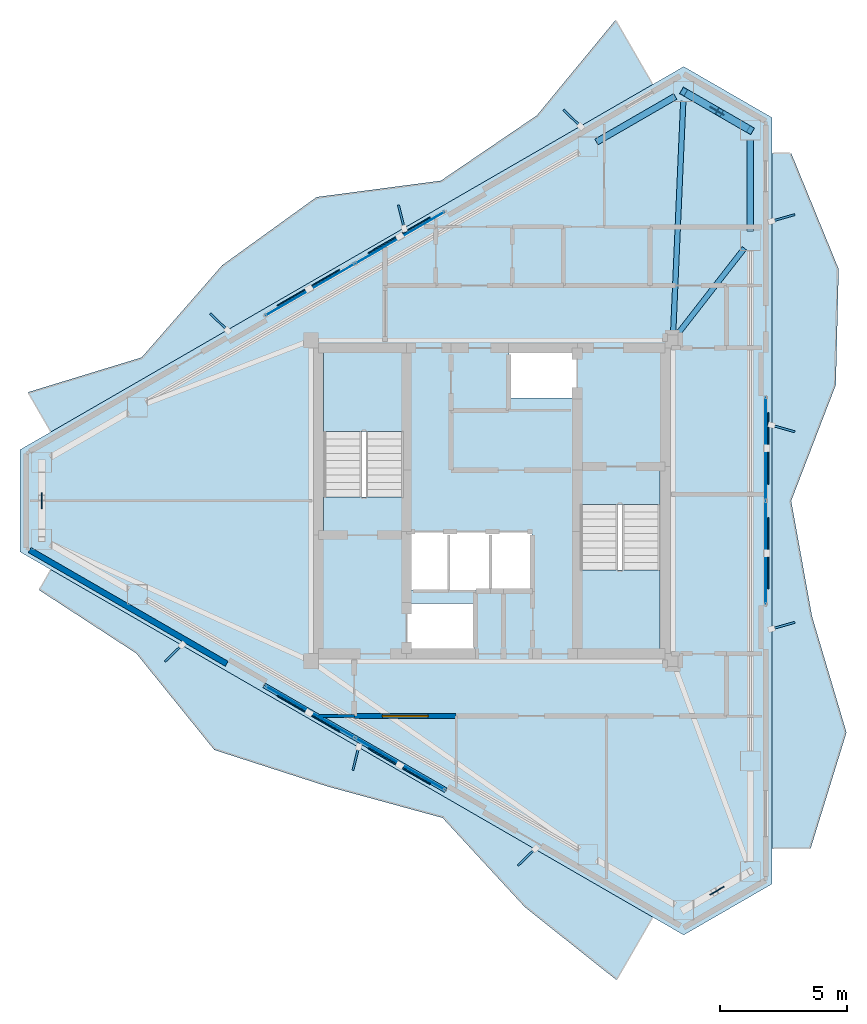
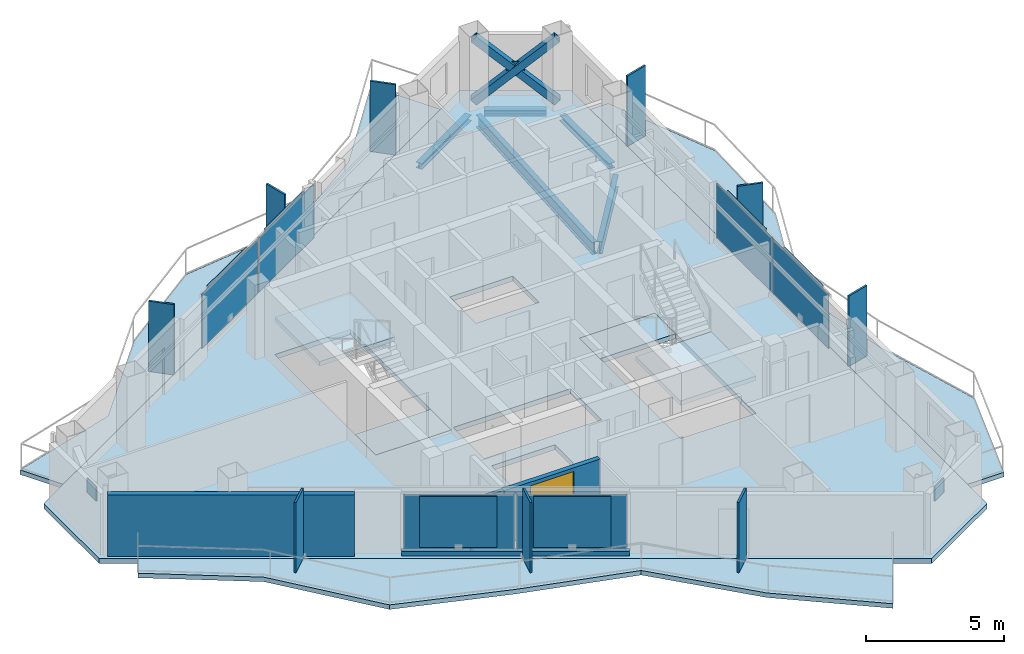
# One storey, part 13 of 18: 24 plates, 8 slabs, 5 beams, 4 walls, 3 members, 1 door, 1 opening, 5 elements without a shape of their own.
"""IFC4 building model written with IfcOpenShell, lengths in metres."""

from ifc_helpers import new_model, si_unit, direction, frame, frame_2d, origin, origin_2d, place, context, subcontext, project, spatial, polyline, rectangle, hollow_rectangle, i_section, outline, extrude, material, layer, layer_set, material_profile, profile_set, type_object, element, fill, aggregate, save


model = new_model("IFC4")

# Units and contexts
model_context = context("Model", 3, precision=1e-05, world=origin(), true_north=direction((0.0, 1.0)))
body_context = subcontext(model_context, "Body", "Model", "MODEL_VIEW")
ifc_project = project(units=[si_unit("LENGTHUNIT", "METRE"), si_unit("AREAUNIT", "SQUARE_METRE"), si_unit("VOLUMEUNIT", "CUBIC_METRE"), si_unit("PLANEANGLEUNIT", "RADIAN"), si_unit("MASSUNIT", "GRAM", prefix="KILO")], contexts=[model_context])

# Site, building, storey
site_placement = place(None, origin())
site = spatial("IfcSite", under=ifc_project, at=site_placement, CompositionType="ELEMENT")
building_placement = place(site_placement, origin())
building = spatial("IfcBuilding", under=site, at=building_placement, Name="Mersakhor Tower and Convention Hall", CompositionType="ELEMENT")
storey_placement = place(building_placement, frame((0.0, 0.0, 243.0)))
storey = spatial("IfcBuildingStorey", under=building, at=storey_placement, Name="L68", CompositionType="ELEMENT", Elevation=243.0)

# Beams
ifc_material_1 = material(Name="Steel S355", Category="steel")
ifc_material_profile_1 = material_profile(ifc_material_1, i_section(OverallWidth=0.2099609375, OverallDepth=0.53662109375, WebThickness=0.0107421875, FlangeThickness=0.017333984375, at=origin_2d()), Name="UB 533x210x101")
ifc_profile_set_1 = profile_set([ifc_material_profile_1], Name="Steel S355")
beam_type_1 = type_object("IfcBeamType", Name="BM-FB-533", PredefinedType="BEAM", material=ifc_profile_set_1)
beam_1_placement = place(storey_placement, frame((36.1123046875, 33.32958984375, -0.48828125), z_axis=(0.043540774519, 0.999051650794, 0.0), x_axis=(-0.999051650794, 0.043540774519, 0.0)))
element("IfcBeam", 1, at=beam_1_placement, inside=storey, type_object=beam_type_1, Name="L68 Primary Floor Girder FG-2", PredefinedType="BEAM", context=body_context, shape_type="SweptSolid", body=[
    extrude(i_section(OverallWidth=0.2099609375, OverallDepth=0.53662109375, WebThickness=0.0107421875, FlangeThickness=0.017333984375, at=origin_2d()), origin(), (0.0, 0.0, 1.0), 9.10595703125),
])
beam_2_placement = place(storey_placement, frame((36.27197265625, 33.27099609375, -0.48828125), z_axis=(0.614066533088, 0.789254263809, 0.0), x_axis=(-0.789254263809, 0.614066533088, 0.0)))
element("IfcBeam", 2, at=beam_2_placement, inside=storey, type_object=beam_type_1, Name="L68 Primary Floor Girder FG-3", PredefinedType="BEAM", context=body_context, shape_type="SweptSolid", body=[
    extrude(i_section(OverallWidth=0.2099609375, OverallDepth=0.53662109375, WebThickness=0.0107421875, FlangeThickness=0.017333984375, at=origin_2d()), origin(), (0.0, 0.0, 1.0), 4.295166015625),
])
ifc_material_2 = material(Name="Steel S355", Category="steel")
ifc_material_profile_2 = material_profile(ifc_material_2, i_section(OverallWidth=0.25634765625, OverallDepth=0.26025390625, WebThickness=0.01025390625, FlangeThickness=0.017333984375, at=origin_2d()), Name="UC 254x254x89")
ifc_profile_set_2 = profile_set([ifc_material_profile_2], Name="Steel S355")
beam_type_2 = type_object("IfcBeamType", Name="BM-SPD-UC254", PredefinedType="SPANDREL", material=ifc_profile_set_2)
beam_3_placement = place(storey_placement, frame((33.1005859375, 40.829345703125, -0.35009765625), z_axis=(0.866002454009, 0.500039748071, 0.0), x_axis=(-0.500039748071, 0.866002454009, 0.0)))
element("IfcBeam", 3, at=beam_3_placement, inside=storey, type_object=beam_type_2, Name="L68 Perimeter Spandrel Beam SPB-03", PredefinedType="SPANDREL", context=body_context, shape_type="SweptSolid", body=[
    extrude(i_section(OverallWidth=0.25634765625, OverallDepth=0.26025390625, WebThickness=0.01025390625, FlangeThickness=0.017333984375, at=origin_2d()), origin(), (0.0, 0.0, 1.0), 3.574462890625),
])
beam_4_placement = place(storey_placement, frame((36.854248046875, 42.61669921875, -0.35009765625), z_axis=(0.866016678684, -0.500015112013, 0.0), x_axis=(0.500015112013, 0.866016678684, 0.0)))
element("IfcBeam", 4, at=beam_4_placement, inside=storey, type_object=beam_type_2, Name="L68 Perimeter Spandrel Beam SPB-04", PredefinedType="SPANDREL", context=body_context, shape_type="SweptSolid", body=[
    extrude(i_section(OverallWidth=0.25634765625, OverallDepth=0.26025390625, WebThickness=0.01025390625, FlangeThickness=0.017333984375, at=origin_2d()), origin(), (0.0, 0.0, 1.0), 2.2626953125),
])
beam_5_placement = place(storey_placement, frame((39.142822265625, 40.915283203125, -0.35009765625), z_axis=(0.0, -1.0, 0.0), x_axis=(1.0, 0.0, 0.0)))
element("IfcBeam", 5, at=beam_5_placement, inside=storey, type_object=beam_type_2, Name="L68 Perimeter Spandrel Beam SPB-05", PredefinedType="SPANDREL", context=body_context, shape_type="SweptSolid", body=[
    extrude(i_section(OverallWidth=0.25634765625, OverallDepth=0.26025390625, WebThickness=0.01025390625, FlangeThickness=0.017333984375, at=origin_2d()), origin(), (0.0, 0.0, 1.0), 3.574462890625),
])

# Members
ifc_material_3 = material(Name="Steel S355", Category="steel")
ifc_material_profile_3 = material_profile(ifc_material_3, hollow_rectangle(XDim=0.300048828125, YDim=0.300048828125, WallThickness=0.01611328125, at=origin_2d()), Name="SHS 300x300x16")
ifc_profile_set_3 = profile_set([ifc_material_profile_3], Name="Steel S355")
member_type = type_object("IfcMemberType", Name="MB-BRC-SHS300", PredefinedType="BRACE", material=ifc_profile_set_3)
member_placement = place(storey_placement, frame((36.525146484375, 42.806640625, 0.14990234375), z_axis=(0.637423019708, -0.367995569109, 0.676957277132), x_axis=(0.499978822259, 0.866037630414, 0.0)))
element("IfcMember", 6, at=member_placement, inside=storey, type_object=member_type, Name="L68 Chamfer Braced Frame Diagonal CB-1A", PredefinedType="BRACE", context=body_context, shape_type="SweptSolid", body=[
    extrude(hollow_rectangle(XDim=0.300048828125, YDim=0.300048828125, WallThickness=0.01611328125, at=origin_2d()), origin(), (0.0, 0.0, 1.0), 4.106689453125),
])
for number, where, z_axis, x_axis, name in (
    (7, (39.142822265625, 41.29541015625, 0.14990234375), (-0.6374128848, 0.367990943802, 0.676969334291), (-0.499980071345, -0.866036909293, 0.0), "L68 Chamfer Braced Frame Diagonal CB-1B Lower Half"),
    (8, (37.73291015625, 42.109375, 1.647216796875), (-0.6374128848, 0.367990943802, 0.676969334291), (-0.499980071345, -0.866036909293, 0.0), "L68 Chamfer Braced Frame Diagonal CB-1B Upper Half"),
):
    element("IfcMember", number, at=place(storey_placement, frame(where, z_axis=z_axis, x_axis=x_axis)), inside=storey, type_object=member_type, Name=name, PredefinedType="BRACE", context=body_context, shape_type="SweptSolid", body=[
        extrude(hollow_rectangle(XDim=0.300048828125, YDim=0.300048828125, WallThickness=0.01611328125, at=origin_2d()), origin(), (0.0, 0.0, 1.0), 1.894775390625),
    ])

# Curtain wall, plates
ifc_material_4 = material(Name="Dark solar low-E aluminium curtain wall", Category="aluminium")
ifc_layer_1 = layer(ifc_material_4, 0.179931640625)
ifc_layer_set_1 = layer_set([ifc_layer_1], Name="Dark solar low-E aluminium curtain wall")
curtain_wall_type = type_object("IfcCurtainWallType", Name="CW-SYS-03", PredefinedType="USERDEFINED", material=ifc_layer_set_1)
curtain_wall_1_placement = place(storey_placement, origin())
curtain_wall_1 = element("IfcCurtainWall", 9, at=curtain_wall_1_placement, inside=storey, type_object=curtain_wall_type, Name="L68 Dark-Glass Curtain Wall F1-B2", ObjectType="CURTAIN WALL", PredefinedType="USERDEFINED")
ifc_material_5 = material(Name="Dark solar double glazing", Category="glass")
ifc_layer_2 = layer(ifc_material_5, 0.031982421875)
ifc_layer_set_2 = layer_set([ifc_layer_2], Name="Dark solar double glazing")
plate_type_1 = type_object("IfcPlateType", Name="CWP-GLZ-32", PredefinedType="CURTAIN_PANEL", material=ifc_layer_set_2)
plate_1_placement = place(storey_placement, frame((21.863525390625, 35.034423828125, 0.260009765625), z_axis=(0.0, 0.0, 1.0), x_axis=(0.86602285698, 0.500004411169, 0.0)))
plate_1 = element("IfcPlate", 10, at=plate_1_placement, type_object=plate_type_1, Name="CW-03 panel 1.1", PredefinedType="CURTAIN_PANEL", context=body_context, shape_type="SweptSolid", body=[
    extrude(rectangle(XDim=4.00146484375, YDim=0.031982421875, at=origin_2d()), origin(), (0.0, 0.0, 1.0), 2.3798828125),
])
plate_2_placement = place(storey_placement, frame((25.393798828125, 37.07275390625, 0.260009765625), z_axis=(0.0, 0.0, 1.0), x_axis=(0.86602285698, 0.500004411169, 0.0)))
plate_2 = element("IfcPlate", 11, at=plate_2_placement, type_object=plate_type_1, Name="CW-03 panel 2.1", PredefinedType="CURTAIN_PANEL", context=body_context, shape_type="SweptSolid", body=[
    extrude(rectangle(XDim=4.00146484375, YDim=0.031982421875, at=origin_2d()), origin(), (0.0, 0.0, 1.0), 2.3798828125),
])
aggregate(curtain_wall_1, [plate_1, plate_2])

curtain_wall_2_placement = place(storey_placement, origin())
curtain_wall_2 = element("IfcCurtainWall", 12, at=curtain_wall_2_placement, inside=storey, type_object=curtain_wall_type, Name="L68 Dark-Glass Curtain Wall F2-B2", ObjectType="CURTAIN WALL", PredefinedType="USERDEFINED")
plate_3_placement = place(storey_placement, frame((39.742919921875, 28.7880859375, 0.260009765625), z_axis=(0.0, 0.0, 1.0), x_axis=(0.0, -1.0, 0.0)))
plate_3 = element("IfcPlate", 13, at=plate_3_placement, type_object=plate_type_1, Name="CW-03 panel 1.1", PredefinedType="CURTAIN_PANEL", context=body_context, shape_type="SweptSolid", body=[
    extrude(rectangle(XDim=4.00146484375, YDim=0.031982421875, at=origin_2d()), origin(), (0.0, 0.0, 1.0), 2.3798828125),
])
plate_4_placement = place(storey_placement, frame((39.742919921875, 24.7119140625, 0.260009765625), z_axis=(0.0, 0.0, 1.0), x_axis=(0.0, -1.0, 0.0)))
plate_4 = element("IfcPlate", 14, at=plate_4_placement, type_object=plate_type_1, Name="CW-03 panel 2.1", PredefinedType="CURTAIN_PANEL", context=body_context, shape_type="SweptSolid", body=[
    extrude(rectangle(XDim=4.00146484375, YDim=0.031982421875, at=origin_2d()), origin(), (0.0, 0.0, 1.0), 2.3798828125),
])
aggregate(curtain_wall_2, [plate_3, plate_4])

curtain_wall_3_placement = place(storey_placement, origin())
curtain_wall_3 = element("IfcCurtainWall", 15, at=curtain_wall_3_placement, inside=storey, type_object=curtain_wall_type, Name="L68 Dark-Glass Curtain Wall F3-B2", ObjectType="CURTAIN WALL", PredefinedType="USERDEFINED")
plate_5_placement = place(storey_placement, frame((25.393798828125, 16.42724609375, 0.260009765625), z_axis=(0.0, 0.0, 1.0), x_axis=(-0.86602285698, 0.500004411169, 0.0)))
plate_5 = element("IfcPlate", 16, at=plate_5_placement, type_object=plate_type_1, Name="CW-03 panel 1.1", PredefinedType="CURTAIN_PANEL", context=body_context, shape_type="SweptSolid", body=[
    extrude(rectangle(XDim=4.00146484375, YDim=0.031982421875, at=origin_2d()), origin(), (0.0, 0.0, 1.0), 2.3798828125),
])
plate_6_placement = place(storey_placement, frame((21.863525390625, 18.465576171875, 0.260009765625), z_axis=(0.0, 0.0, 1.0), x_axis=(-0.86602285698, 0.500004411169, 0.0)))
plate_6 = element("IfcPlate", 17, at=plate_6_placement, type_object=plate_type_1, Name="CW-03 panel 2.1", PredefinedType="CURTAIN_PANEL", context=body_context, shape_type="SweptSolid", body=[
    extrude(rectangle(XDim=4.00146484375, YDim=0.031982421875, at=origin_2d()), origin(), (0.0, 0.0, 1.0), 2.3798828125),
])
aggregate(curtain_wall_3, [plate_5, plate_6])

# Plates
ifc_material_6 = material(Name="Ceramic-clad aluminium Zone 5 ultramarine", Category="aluminium")
ifc_material_7 = material(Name="Ceramic-clad aluminium Zone 1 cobalt-slate", Category="masonry")
ifc_layer_3 = layer(ifc_material_7, 0.080078125)
ifc_layer_set_3 = layer_set([ifc_layer_3], Name="Ceramic-clad aluminium Zone 1 cobalt-slate")
plate_type_2 = type_object("IfcPlateType", Name="PL-FIN-80", PredefinedType="USERDEFINED", material=ifc_layer_set_3)
for number, where, z_axis, x_axis, name in (
    (18, (18.291015625, 33.7646484375, 0.0), (0.0, 0.0, 1.0), (-0.719339800339, 0.694658370459, 0.0), "L68 Zone 5 Coloured Brise-Soleil Fin F1-1"),
    (19, (25.44580078125, 37.8955078125, 0.0), (0.0, 0.0, 1.0), (-0.2419218956, 0.970295726276, 0.0), "L68 Zone 5 Coloured Brise-Soleil Fin F1-2"),
    (20, (32.147216796875, 41.7646484375, 0.0), (0.0, 0.0, 1.0), (-0.719339800339, 0.694658370459, 0.0), "L68 Zone 5 Coloured Brise-Soleil Fin F1-3"),
    (21, (40.429443359375, 37.850341796875, 0.0), (0.0, 0.0, 1.0), (0.961261695938, 0.275637355817, 0.0), "L68 Zone 5 Coloured Brise-Soleil Fin F2-1"),
    (22, (40.429443359375, 29.58837890625, 0.0), (0.0, 0.0, 1.0), (0.961261695938, -0.275637355817, 0.0), "L68 Zone 5 Coloured Brise-Soleil Fin F2-2"),
    (23, (40.429443359375, 21.850341796875, 0.0), (0.0, 0.0, 1.0), (0.961261695938, 0.275637355817, 0.0), "L68 Zone 5 Coloured Brise-Soleil Fin F2-3"),
    (24, (30.3623046875, 12.765869140625, 0.0), (0.0, 0.0, 1.0), (-0.719339800339, -0.694658370459, 0.0), "L68 Zone 5 Coloured Brise-Soleil Fin F3-1"),
    (25, (23.660888671875, 16.635009765625, 0.0), (0.0, 0.0, 1.0), (-0.2419218956, -0.970295726276, 0.0), "L68 Zone 5 Coloured Brise-Soleil Fin F3-2"),
    (26, (16.505859375, 20.76611328125, 0.0), (0.0, 0.0, 1.0), (-0.719339800339, -0.694658370459, 0.0), "L68 Zone 5 Coloured Brise-Soleil Fin F3-3"),
):
    element("IfcPlate", number, at=place(storey_placement, frame(where, z_axis=z_axis, x_axis=x_axis)), inside=storey, type_object=plate_type_2, material=ifc_material_6, Name=name, ObjectType="FIN", PredefinedType="USERDEFINED", context=body_context, shape_type="SweptSolid", body=[
        extrude(rectangle(XDim=0.949951171875, YDim=0.080078125, at=origin_2d()), origin(), (0.0, 0.0, 1.0), 3.10009765625),
    ])
ifc_material_8 = material(Name="Steel S460", Category="steel")
ifc_layer_4 = layer(ifc_material_8, 0.0400390625)
ifc_layer_set_4 = layer_set([ifc_layer_4], Name="Steel S460")
plate_type_3 = type_object("IfcPlateType", Name="PL-GUSSET-40", PredefinedType="SHEET", material=ifc_layer_set_4)
for number, where, z_axis, x_axis, name in (
    (27, (37.833984375, 42.051025390625, 1.22021484375), (0.0, 0.0, 1.0), (-0.866025403784, 0.5, 0.0), "L68 X-Brace Crossing Gusset Node Plate"),
    (28, (37.833984375, 11.448974609375, 1.22021484375), (0.0, 0.0, 1.0), (0.866025403784, 0.5, 0.0), "L68 X-Brace Crossing Gusset Node Plate"),
    (29, (11.33203125, 26.75, 1.22021484375), (0.0, 0.0, 1.0), (0.0, -1.0, 0.0), "L68 X-Brace Crossing Gusset Node Plate"),
):
    element("IfcPlate", number, at=place(storey_placement, frame(where, z_axis=z_axis, x_axis=x_axis)), inside=storey, type_object=plate_type_3, Name=name, PredefinedType="SHEET", context=body_context, shape_type="SweptSolid", body=[
        extrude(rectangle(XDim=0.639892578125, YDim=0.0400390625, at=origin_2d()), origin(), (0.0, 0.0, 1.0), 0.639892578125),
    ])
ifc_material_9 = material(Name="Perforated ceramic cobogo solar screen", Category="aluminium")
ifc_layer_5 = layer(ifc_material_9, 0.048095703125)
ifc_layer_set_5 = layer_set([ifc_layer_5], Name="Perforated ceramic cobogo solar screen")
plate_type_4 = type_object("IfcPlateType", Name="PL-SCR-48", PredefinedType="USERDEFINED", material=ifc_layer_set_5)
for number, where, z_axis, x_axis, name in (
    (30, (21.80029296875, 35.1064453125, 0.39990234375), (0.0, 0.0, 1.0), (0.866025403784, 0.5, 0.0), "L68 Perforated Ceramic Solar Screen F1-1"),
    (31, (25.363037109375, 37.163330078125, 0.39990234375), (0.0, 0.0, 1.0), (0.866025403784, 0.5, 0.0), "L68 Perforated Ceramic Solar Screen F1-2"),
    (32, (39.8369140625, 28.806884765625, 0.39990234375), (0.0, 0.0, 1.0), (0.0, -1.0, 0.0), "L68 Perforated Ceramic Solar Screen F2-1"),
    (33, (39.8369140625, 24.693115234375, 0.39990234375), (0.0, 0.0, 1.0), (0.0, -1.0, 0.0), "L68 Perforated Ceramic Solar Screen F2-2"),
    (34, (25.36279296875, 16.336669921875, 0.39990234375), (0.0, 0.0, 1.0), (-0.866025403784, 0.5, 0.0), "L68 Perforated Ceramic Solar Screen F3-1"),
    (35, (21.80029296875, 18.3935546875, 0.39990234375), (0.0, 0.0, 1.0), (-0.866025403784, 0.5, 0.0), "L68 Perforated Ceramic Solar Screen F3-2"),
):
    element("IfcPlate", number, at=place(storey_placement, frame(where, z_axis=z_axis, x_axis=x_axis)), inside=storey, type_object=plate_type_4, Name=name, ObjectType="SCREEN", PredefinedType="USERDEFINED", context=body_context, shape_type="SweptSolid", body=[
        extrude(rectangle(XDim=2.800048828125, YDim=0.048095703125, at=origin_2d()), origin(), (0.0, 0.0, 1.0), 2.25),
    ])

# Slabs
ifc_material_10 = material(Name="Concrete C45/55", Category="concrete")
ifc_layer_6 = layer(ifc_material_10, 0.199951171875)
ifc_layer_set_6 = layer_set([ifc_layer_6], Name="Concrete C45/55")
slab_type_1 = type_object("IfcSlabType", Name="SL-BAL-200", PredefinedType="FLOOR", material=ifc_layer_set_6)
slab_1_placement = place(storey_placement, frame((0.0, 0.0, -0.199951171875)))
element("IfcSlab", 36, at=slab_1_placement, inside=storey, type_object=slab_type_1, Name="L68 Sinusoidal Balcony Slab Face 1", PredefinedType="FLOOR", context=body_context, shape_type="SweptSolid", body=[
    extrude(outline(polyline([(11.6943359375, 29.451904296875), (35.312744140625, 43.088134765625), (33.852783203125, 45.616943359375), (30.766357421875, 41.871826171875), (26.9970703125, 39.309814453125), (22.119140625, 38.667724609375), (18.416015625, 35.991455078125), (15.255859375, 32.374267578125), (10.79443359375, 31.0107421875), (11.6943359375, 29.451904296875)])), origin(), (0.0, 0.0, 1.0), 0.199951171875),
])
slab_2_placement = place(storey_placement, frame((0.0, 0.0, -0.199951171875)))
element("IfcSlab", 37, at=slab_2_placement, inside=storey, type_object=slab_type_1, Name="L68 Sinusoidal Balcony Slab Face 2", PredefinedType="FLOOR", context=body_context, shape_type="SweptSolid", body=[
    extrude(outline(polyline([(39.992919921875, 40.385986328125), (39.992919921875, 13.114013671875), (41.5078125, 13.114013671875), (42.912841796875, 17.6591796875), (41.563720703125, 22.20458984375), (40.742919921875, 26.75), (42.49462890625, 31.29541015625), (42.606689453125, 35.8408203125), (40.744873046875, 40.385986328125), (39.992919921875, 40.385986328125)])), origin(), (0.0, 0.0, 1.0), 0.199951171875),
])
slab_3_placement = place(storey_placement, frame((0.0, 0.0, -0.199951171875)))
element("IfcSlab", 38, at=slab_3_placement, inside=storey, type_object=slab_type_1, Name="L68 Sinusoidal Balcony Slab Face 3", PredefinedType="FLOOR", context=body_context, shape_type="SweptSolid", body=[
    extrude(outline(polyline([(35.312744140625, 10.411865234375), (11.6943359375, 24.048095703125), (11.232421875, 23.247802734375), (15.045654296875, 20.76171875), (18.107177734375, 16.973876953125), (22.53173828125, 15.546875), (27.06494140625, 14.3076171875), (30.2919921875, 10.806640625), (33.888916015625, 7.945556640625), (35.312744140625, 10.411865234375)])), origin(), (0.0, 0.0, 1.0), 0.199951171875),
])
ifc_material_11 = material(Name="Concrete C40/50", Category="concrete")
ifc_layer_7 = layer(ifc_material_11, 0.219970703125)
ifc_layer_set_7 = layer_set([ifc_layer_7], Name="Concrete C40/50")
slab_type_2 = type_object("IfcSlabType", Name="SL-FLR-220", PredefinedType="FLOOR", material=ifc_layer_set_7)
slab_4_placement = place(storey_placement, frame((0.0, 0.0, -0.219970703125)))
element("IfcSlab", 39, at=slab_4_placement, inside=storey, type_object=slab_type_2, Name="L68 ST-1 Structural Stair Floor Landing", PredefinedType="LANDING", context=body_context, shape_type="SweptSolid", body=[
    extrude(outline(polyline([(25.550048828125, 25.39990234375), (25.550048828125, 26.89990234375), (22.39990234375, 26.89990234375), (22.39990234375, 25.39990234375), (25.550048828125, 25.39990234375)])), origin(), (0.0, 0.0, 1.0), 0.219970703125),
])
slab_5_placement = place(storey_placement, frame((0.0, 0.0, -0.219970703125)))
element("IfcSlab", 40, at=slab_5_placement, inside=storey, type_object=slab_type_2, Name="L68 ST-2 Structural Stair Floor Landing", PredefinedType="LANDING", context=body_context, shape_type="SweptSolid", body=[
    extrude(outline(polyline([(32.449951171875, 28.10009765625), (32.449951171875, 26.60009765625), (35.60009765625, 26.60009765625), (35.60009765625, 28.10009765625), (32.449951171875, 28.10009765625)])), origin(), (0.0, 0.0, 1.0), 0.219970703125),
])
slab_6_placement = place(storey_placement, frame((0.0, 0.0, -0.219970703125)))
element("IfcSlab", 41, at=slab_6_placement, inside=storey, type_object=slab_type_2, Name="Tower L68 Structural Floor Slab", PredefinedType="FLOOR", context=body_context, shape_type="SweptSolid", body=[
    extrude(outline(polyline([(10.48193359375, 28.751953125), (36.525146484375, 43.7880859375), (39.992919921875, 41.7861328125), (39.992919921875, 11.7138671875), (36.525146484375, 9.7119140625), (10.48193359375, 24.748046875), (10.48193359375, 28.751953125)]), holes=[polyline([(25.550048828125, 25.39990234375), (25.550048828125, 32.699951171875), (22.39990234375, 32.699951171875), (22.39990234375, 25.39990234375), (25.550048828125, 25.39990234375)]), polyline([(32.449951171875, 28.10009765625), (32.449951171875, 20.800048828125), (35.60009765625, 20.800048828125), (35.60009765625, 28.10009765625), (32.449951171875, 28.10009765625)]), polyline([(25.679931640625, 20.820068359375), (25.679931640625, 22.719970703125), (28.320068359375, 22.719970703125), (28.320068359375, 20.820068359375), (25.679931640625, 20.820068359375)]), polyline([(29.679931640625, 30.780029296875), (29.679931640625, 32.679931640625), (32.320068359375, 32.679931640625), (32.320068359375, 30.780029296875), (29.679931640625, 30.780029296875)]), polyline([(25.679931640625, 23.25), (25.679931640625, 25.5), (30.570068359375, 25.5), (30.570068359375, 23.25), (25.679931640625, 23.25)])]), origin(), (0.0, 0.0, 1.0), 0.219970703125),
])

# Stair, slab
ifc_material_12 = material(Name="Concrete C45/55", Category="concrete")
stair_type = type_object("IfcStairType", Name="ST-TWR-20R", PredefinedType="HALF_TURN_STAIR", material=ifc_material_12)
stair_1_placement = place(storey_placement, origin())
stair_1 = element("IfcStair", 42, at=stair_1_placement, inside=storey, type_object=stair_type, Name="L68 Tower Protected Exit Stair ST-1", PredefinedType="HALF_TURN_STAIR")
ifc_material_13 = material(Name="Concrete C45/55", Category="concrete")
ifc_layer_8 = layer(ifc_material_13, 0.199951171875)
ifc_layer_set_8 = layer_set([ifc_layer_8], Name="Concrete C45/55")
slab_type_3 = type_object("IfcSlabType", Name="SL-LAND-200", PredefinedType="LANDING", material=ifc_layer_set_8)
slab_7_placement = place(storey_placement, frame((0.0, 0.0, 1.449951171875)))
slab_7 = element("IfcSlab", 43, at=slab_7_placement, type_object=slab_type_3, Name="ST-1 landing 1", PredefinedType="LANDING", context=body_context, shape_type="SweptSolid", body=[
    extrude(outline(polyline([(25.550048828125, 29.465087890625), (25.550048828125, 32.699951171875), (22.39990234375, 32.699951171875), (22.39990234375, 29.465087890625), (25.550048828125, 29.465087890625)])), origin(), (0.0, 0.0, 1.0), 0.199951171875),
])
aggregate(stair_1, [slab_7])

stair_2_placement = place(storey_placement, origin())
stair_2 = element("IfcStair", 44, at=stair_2_placement, inside=storey, type_object=stair_type, Name="L68 Tower Protected Exit Stair ST-2", PredefinedType="HALF_TURN_STAIR")
slab_8_placement = place(storey_placement, frame((0.0, 0.0, 1.449951171875)))
slab_8 = element("IfcSlab", 45, at=slab_8_placement, type_object=slab_type_3, Name="ST-2 landing 1", PredefinedType="LANDING", context=body_context, shape_type="SweptSolid", body=[
    extrude(outline(polyline([(32.449951171875, 24.034912109375), (32.449951171875, 20.800048828125), (35.60009765625, 20.800048828125), (35.60009765625, 24.034912109375), (32.449951171875, 24.034912109375)])), origin(), (0.0, 0.0, 1.0), 0.199951171875),
])
aggregate(stair_2, [slab_8])

# Walls
ifc_material_14 = material(Name="Precast concrete C40/50", Category="concrete")
ifc_layer_9 = layer(ifc_material_14, 0.22509765625)
ifc_layer_set_9 = layer_set([ifc_layer_9], Name="Precast concrete C40/50")
wall_type_1 = type_object("IfcWallType", Name="WL-EXT-225", PredefinedType="SOLIDWALL", material=ifc_layer_set_9)
wall_1_placement = place(storey_placement, frame((18.593505859375, 20.353515625, 0.0), z_axis=(0.0, 0.0, 1.0), x_axis=(-0.866026655105, 0.499997832642, 0.0)))
element("IfcWall", 46, at=wall_1_placement, inside=storey, type_object=wall_type_1, Name="L68 Exterior Facade Wall F3-B3", PredefinedType="SOLIDWALL", context=body_context, shape_type="SweptSolid", body=[
    extrude(rectangle(XDim=8.927734375, YDim=0.22509765625, at=frame_2d((4.4638671875, 0.0))), origin(), (0.0, 0.0, 1.0), 2.699951171875),
])
ifc_material_15 = material(Name="Precast concrete C40/50", Category="concrete")
ifc_layer_10 = layer(ifc_material_15, 0.199951171875)
ifc_layer_set_10 = layer_set([ifc_layer_10], Name="Precast concrete C40/50")
wall_type_2 = type_object("IfcWallType", Name="WL-PAR-200", PredefinedType="PARAPET", material=ifc_layer_set_10)
wall_2_placement = place(storey_placement, frame((27.19140625, 15.389404296875, 0.0), z_axis=(0.0, 0.0, 1.0), x_axis=(-0.866019557082, 0.500010126649, 0.0)))
element("IfcWall", 47, at=wall_2_placement, inside=storey, type_object=wall_type_2, Name="L68 Curtain Wall Upstand Sill F3-B2", PredefinedType="PARAPET", context=body_context, shape_type="SweptSolid", body=[
    extrude(rectangle(XDim=8.227783203125, YDim=0.199951171875, at=frame_2d((4.11376953125, 0.0))), origin(), (0.0, 0.0, 1.0), 0.199951171875),
])
ifc_material_16 = material(Name="Gypsum board acoustic partition", Category="other")
ifc_layer_11 = layer(ifc_material_16, 0.125)
ifc_layer_set_11 = layer_set([ifc_layer_11], Name="Gypsum board acoustic partition")
wall_type_3 = type_object("IfcWallType", Name="WL-PRT-125", PredefinedType="PARTITIONING", material=ifc_layer_set_11)
wall_3_placement = place(storey_placement, frame((22.222900390625, 18.300048828125, 0.0), z_axis=(0.0, 0.0, 1.0), x_axis=(1.0, 0.0, 0.0)))
element("IfcWall", 48, at=wall_3_placement, inside=storey, type_object=wall_type_3, Name="L68 Interior Partition Wall P-055", PredefinedType="PARTITIONING", context=body_context, shape_type="SweptSolid", body=[
    extrude(rectangle(XDim=1.377197265625, YDim=0.125, at=frame_2d((0.6884765625, 0.0))), origin(), (0.0, 0.0, 1.0), 2.364990234375),
])

# Wall, opening, door
ifc_material_17 = material(Name="Acoustic concrete blockwork and gypsum board", Category="masonry")
ifc_layer_12 = layer(ifc_material_17, 0.199951171875)
ifc_layer_set_12 = layer_set([ifc_layer_12], Name="Acoustic concrete blockwork and gypsum board")
wall_type_4 = type_object("IfcWallType", Name="WL-PRT-200", PredefinedType="PARTITIONING", material=ifc_layer_set_12)
wall_4_placement = place(storey_placement, frame((27.60009765625, 18.300048828125, 0.0), z_axis=(0.0, 0.0, 1.0), x_axis=(-1.0, 0.0, 0.0)))
wall_4 = element("IfcWall", 49, at=wall_4_placement, inside=storey, type_object=wall_type_4, Name="L68 Interior Partition Wall P-033", PredefinedType="PARTITIONING", context=body_context, shape_type="SweptSolid", body=[
    extrude(rectangle(XDim=4.0, YDim=0.199951171875, at=frame_2d((2.0, 0.0))), origin(), (0.0, 0.0, 1.0), 2.364990234375),
])
opening_placement = place(wall_4_placement, frame((1.10009765625, 0.0, 0.0)))
opening = element("IfcOpeningElement", 50, at=opening_placement, cuts=wall_4, Name="Opening HD-01", PredefinedType="OPENING", context=body_context, shape_type="SweptSolid", body=[
    extrude(rectangle(XDim=1.800048828125, YDim=2.199951171875, at=frame_2d((0.89990234375, 1.10009765625))), frame((0.0, 0.10986328125, 0.0), z_axis=(0.0, -1.0, 0.0), x_axis=(1.0, 0.0, 0.0)), (0.0, 0.0, 1.0), 0.219970703125),
])
ifc_material_18 = material(Name="Fire-rated hardwood leaf and painted steel frame", Category="steel")
door_type = type_object("IfcDoorType", Name="DR-INT-HALL-180x220", OperationType="NOTDEFINED", PredefinedType="DOOR", material=ifc_material_18)
door_placement = place(opening_placement, origin())
door = element("IfcDoor", 51, at=door_placement, inside=storey, type_object=door_type, Name="L68 Residential South Gallery Corridor to L68 South Crown Residents Library Hall Door", OperationType="DOUBLE_DOOR_SINGLE_SWING", OverallHeight=2.199951171875, OverallWidth=1.800048828125, PredefinedType="DOOR", context=body_context, shape_type="SweptSolid", body=[
    extrude(rectangle(XDim=1.800048828125, YDim=2.199951171875, at=frame_2d((0.89990234375, 1.10009765625))), frame((0.0, 0.02490234375, 0.0), z_axis=(0.0, -1.0, 0.0), x_axis=(1.0, 0.0, 0.0)), (0.0, 0.0, 1.0), 0.050048828125),
])
fill(opening, door)

save(model, "model.ifc")
